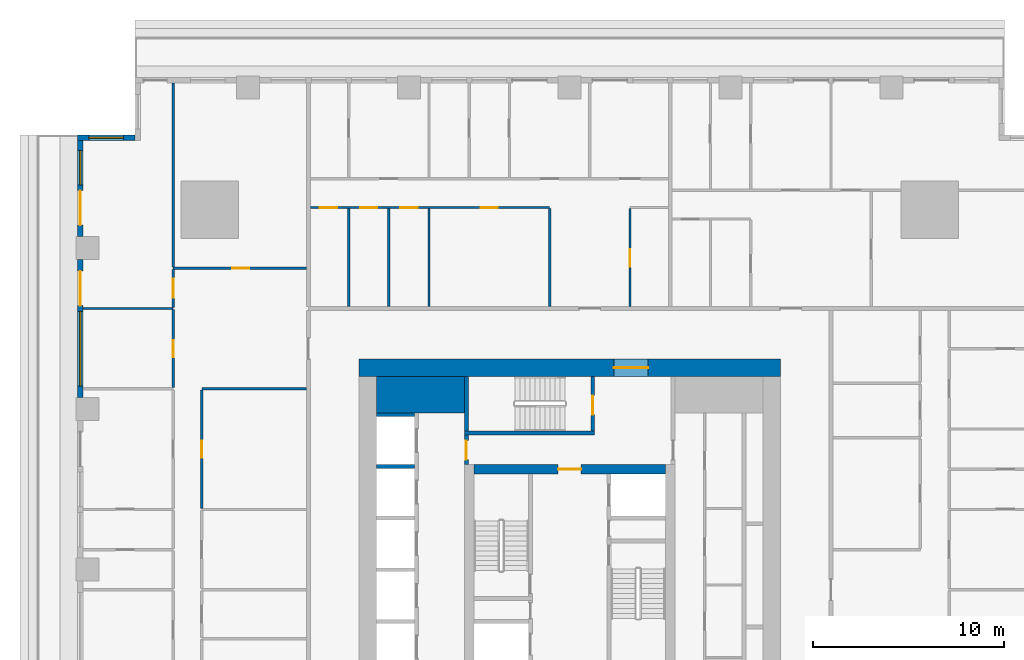
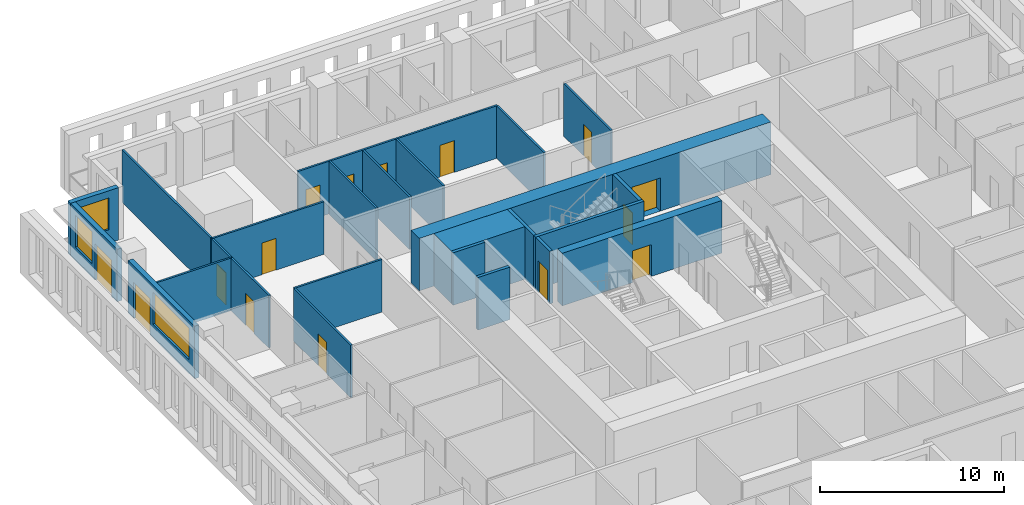
# One storey, part 7 of 15: 25 walls, 15 doors, 3 windows, 18 openings.
"""IFC4 building model written with IfcOpenShell, lengths in metres."""

from ifc_helpers import new_model, si_unit, direction, frame, frame_2d, origin, place, context, subcontext, project, spatial, rectangle, extrude, material, layer, layer_set, type_object, element, fill, save


model = new_model("IFC4")

# Units and contexts
model_context = context("Model", 3, precision=1e-05, world=origin(), true_north=direction((0.0, 1.0)))
body_context = subcontext(model_context, "Body", "Model", "MODEL_VIEW")
ifc_project = project(units=[si_unit("LENGTHUNIT", "METRE"), si_unit("AREAUNIT", "SQUARE_METRE"), si_unit("VOLUMEUNIT", "CUBIC_METRE"), si_unit("PLANEANGLEUNIT", "RADIAN"), si_unit("MASSUNIT", "GRAM", prefix="KILO")], contexts=[model_context])

# Site, building, storey
site_placement = place(None, origin())
site = spatial("IfcSite", under=ifc_project, at=site_placement, CompositionType="ELEMENT")
building_placement = place(site_placement, origin())
building = spatial("IfcBuilding", under=site, at=building_placement, Name="Khepri Terraces", CompositionType="ELEMENT")
storey_placement = place(building_placement, frame((0.0, 0.0, 30.89990234375)))
storey = spatial("IfcBuildingStorey", under=building, at=storey_placement, Name="L06", CompositionType="ELEMENT", Elevation=30.89990234375)

# Walls
ifc_material_1 = material(Name="Concrete C80/95", Category="concrete")
ifc_layer_1 = layer(ifc_material_1, 1.89990234375, Name="Concrete C80/95", Category="concrete")
ifc_layer_set_1 = layer_set([ifc_layer_1], Name="Concrete C80/95")
wall_type_1 = type_object("IfcWallType", Name="Core wall 1900 C80/95", PredefinedType="SHEAR", material=ifc_layer_set_1)
wall_1_placement = place(storey_placement, frame((-10.10009765625, 9.14990234375, 0.0), z_axis=(0.0, 0.0, 1.0), x_axis=(1.0, 0.0, 0.0)))
element("IfcWall", 1, at=wall_1_placement, inside=storey, type_object=wall_type_1, Name="Core wall PR03 L06", PredefinedType="SHEAR", context=body_context, shape_type="SweptSolid", body=[
    extrude(rectangle(XDim=4.60009765625, YDim=1.89990234375, at=frame_2d((2.300048828125, 0.0))), origin(), (0.0, 0.0, 1.0), 3.47998046875),
])
ifc_layer_2 = layer(ifc_material_1, 0.199951171875, Name="Concrete C80/95", Category="concrete")
ifc_layer_set_2 = layer_set([ifc_layer_2], Name="Concrete C80/95")
wall_type_2 = type_object("IfcWallType", Name="Core wall 200 C80/95", PredefinedType="SHEAR", material=ifc_layer_set_2)
wall_2_placement = place(storey_placement, frame((-5.5, 7.14990234375, 0.0), z_axis=(0.0, 0.0, 1.0), x_axis=(1.0, 0.0, 0.0)))
element("IfcWall", 2, at=wall_2_placement, inside=storey, type_object=wall_type_2, Name="Core wall ST05 L06", PredefinedType="SHEAR", context=body_context, shape_type="SweptSolid", body=[
    extrude(rectangle(XDim=6.800048828125, YDim=0.199951171875, at=frame_2d((3.39990234375, 0.0))), origin(), (0.0, 0.0, 1.0), 3.47998046875),
])
wall_3_placement = place(storey_placement, frame((-5.39990234375, 7.25, 0.0), z_axis=(0.0, 0.0, 1.0), x_axis=(0.0, 1.0, 0.0)))
element("IfcWall", 3, at=wall_3_placement, inside=storey, type_object=wall_type_2, Name="Core wall ST06 L06", PredefinedType="SHEAR", context=body_context, shape_type="SweptSolid", body=[
    extrude(rectangle(XDim=2.85009765625, YDim=0.199951171875, at=frame_2d((1.425048828125, 0.0))), origin(), (0.0, 0.0, 1.0), 3.47998046875),
])

# Wall, opening, door
wall_4_placement = place(storey_placement, frame((1.199951171875, 7.25, 0.0), z_axis=(0.0, 0.0, 1.0), x_axis=(0.0, 1.0, 0.0)))
wall_4 = element("IfcWall", 4, at=wall_4_placement, inside=storey, type_object=wall_type_2, Name="Core wall ST07 L06", PredefinedType="SHEAR", context=body_context, shape_type="SweptSolid", body=[
    extrude(rectangle(XDim=2.85009765625, YDim=0.199951171875, at=frame_2d((1.425048828125, 0.0))), origin(), (0.0, 0.0, 1.0), 3.47998046875),
])
opening_1_placement = place(wall_4_placement, frame((0.85009765625, 0.0, 0.0)))
opening_1 = element("IfcOpeningElement", 5, at=opening_1_placement, cuts=wall_4, Name="Opening L06-C15", PredefinedType="OPENING", context=body_context, shape_type="SweptSolid", body=[
    extrude(rectangle(XDim=1.0, YDim=2.10009765625, at=frame_2d((0.5, 1.050048828125))), frame((0.0, 0.10986328125, 0.0), z_axis=(0.0, -1.0, 0.0), x_axis=(1.0, 0.0, 0.0)), (0.0, 0.0, 1.0), 0.219970703125),
])
ifc_material_2 = material(Name="Painted steel", Category="steel")
door_type_1 = type_object("IfcDoorType", Name="DR-CORE-STAIR-1000", OperationType="NOTDEFINED", PredefinedType="DOOR", material=ifc_material_2)
door_1_placement = place(opening_1_placement, origin())
door_1 = element("IfcDoor", 6, at=door_1_placement, inside=storey, type_object=door_type_1, Name="Stair door L06-C15", OperationType="SINGLE_SWING_LEFT", OverallHeight=2.10009765625, OverallWidth=1.0, PredefinedType="DOOR", context=body_context, shape_type="SweptSolid", body=[
    extrude(rectangle(XDim=1.0, YDim=2.10009765625, at=frame_2d((0.5, 1.050048828125))), frame((0.0, 0.02490234375, 0.0), z_axis=(0.0, -1.0, 0.0), x_axis=(1.0, 0.0, 0.0)), (0.0, 0.0, 1.0), 0.050048828125),
])
fill(opening_1, door_1)

# Walls
for number, where, z_axis, x_axis, name in (
    (7, (-10.10009765625, 5.39990234375, 0.0), (0.0, 0.0, 1.0), (1.0, 0.0, 0.0), "Core wall SH19 L06"),
    (8, (-10.10009765625, 8.10009765625, 0.0), (0.0, 0.0, 1.0), (1.0, 0.0, 0.0), "Core wall SH20 L06"),
):
    element("IfcWall", number, at=place(storey_placement, frame(where, z_axis=z_axis, x_axis=x_axis)), inside=storey, type_object=wall_type_2, Name=name, PredefinedType="SHEAR", context=body_context, shape_type="SweptSolid", body=[
        extrude(rectangle(XDim=2.0, YDim=0.199951171875, at=frame_2d((1.0, 0.0))), origin(), (0.0, 0.0, 1.0), 3.47998046875),
    ])

# Wall, opening, door
ifc_layer_3 = layer(ifc_material_1, 0.5, Name="Concrete C80/95", Category="concrete")
ifc_layer_set_3 = layer_set([ifc_layer_3], Name="Concrete C80/95")
wall_type_3 = type_object("IfcWallType", Name="Core wall 500 C80/95", PredefinedType="SHEAR", material=ifc_layer_set_3)
wall_5_placement = place(storey_placement, frame((-5.0, 5.25, 0.0), z_axis=(0.0, 0.0, 1.0), x_axis=(1.0, 0.0, 0.0)))
wall_5 = element("IfcWall", 9, at=wall_5_placement, inside=storey, type_object=wall_type_3, Name="Core wall BX04 L06", PredefinedType="SHEAR", context=body_context, shape_type="SweptSolid", body=[
    extrude(rectangle(XDim=10.0, YDim=0.5, at=frame_2d((5.0, 0.0))), origin(), (0.0, 0.0, 1.0), 3.47998046875),
])
opening_2_placement = place(wall_5_placement, frame((4.39990234375, 0.0, 0.0)))
opening_2 = element("IfcOpeningElement", 10, at=opening_2_placement, cuts=wall_5, Name="Opening L06-C13", PredefinedType="OPENING", context=body_context, shape_type="SweptSolid", body=[
    extrude(rectangle(XDim=1.199951171875, YDim=2.10009765625, at=frame_2d((0.60009765625, 1.050048828125))), frame((0.0, 0.260009765625, 0.0), z_axis=(0.0, -1.0, 0.0), x_axis=(1.0, 0.0, 0.0)), (0.0, 0.0, 1.0), 0.52001953125),
])
door_type_2 = type_object("IfcDoorType", Name="DR-CORE-FF-LOBBY-1200", OperationType="NOTDEFINED", PredefinedType="DOOR", material=ifc_material_2)
door_2_placement = place(opening_2_placement, frame((1.199951171875, 0.0, 0.0), z_axis=(0.0, 0.0, 1.0), x_axis=(-1.0, 0.0, 0.0)))
door_2 = element("IfcDoor", 11, at=door_2_placement, inside=storey, type_object=door_type_2, Name="Firefighting lobby door L06-C13", OperationType="SINGLE_SWING_LEFT", OverallHeight=2.10009765625, OverallWidth=1.199951171875, PredefinedType="DOOR", context=body_context, shape_type="SweptSolid", body=[
    extrude(rectangle(XDim=1.199951171875, YDim=2.10009765625, at=frame_2d((0.60009765625, 1.050048828125))), frame((0.0, 0.02490234375, 0.0), z_axis=(0.0, -1.0, 0.0), x_axis=(1.0, 0.0, 0.0)), (0.0, 0.0, 1.0), 0.050048828125),
])
fill(opening_2, door_2)

ifc_layer_4 = layer(ifc_material_1, 0.89990234375, Name="Concrete C80/95", Category="concrete")
ifc_layer_set_4 = layer_set([ifc_layer_4], Name="Concrete C80/95")
wall_type_4 = type_object("IfcWallType", Name="Core wall 900 C80/95", PredefinedType="SHEAR", material=ifc_layer_set_4)
wall_6_placement = place(storey_placement, frame((-11.0, 10.550048828125, 0.0), z_axis=(0.0, 0.0, 1.0), x_axis=(1.0, 0.0, 0.0)))
wall_6 = element("IfcWall", 12, at=wall_6_placement, inside=storey, type_object=wall_type_4, Name="Core wall OW-N L06", PredefinedType="SHEAR", context=body_context, shape_type="SweptSolid", body=[
    extrude(rectangle(XDim=22.0, YDim=0.89990234375, at=frame_2d((11.0, 0.0))), origin(), (0.0, 0.0, 1.0), 3.47998046875),
])
opening_3_placement = place(wall_6_placement, frame((13.300048828125, 0.0, 0.0)))
opening_3 = element("IfcOpeningElement", 13, at=opening_3_placement, cuts=wall_6, Name="Opening L06-C20", PredefinedType="OPENING", context=body_context, shape_type="SweptSolid", body=[
    extrude(rectangle(XDim=1.800048828125, YDim=2.199951171875, at=frame_2d((0.89990234375, 1.10009765625))), frame((0.0, 0.4599609375, 0.0), z_axis=(0.0, -1.0, 0.0), x_axis=(1.0, 0.0, 0.0)), (0.0, 0.0, 1.0), 0.919921875),
])
door_type_3 = type_object("IfcDoorType", Name="DR-CORE-ENTRANCE-1800", OperationType="NOTDEFINED", PredefinedType="DOOR", material=ifc_material_2)
door_3_placement = place(opening_3_placement, origin())
door_3 = element("IfcDoor", 14, at=door_3_placement, inside=storey, type_object=door_type_3, Name="Core entrance door pair L06-C20", OperationType="DOUBLE_DOOR_SINGLE_SWING", OverallHeight=2.199951171875, OverallWidth=1.800048828125, PredefinedType="DOOR", context=body_context, shape_type="SweptSolid", body=[
    extrude(rectangle(XDim=1.800048828125, YDim=2.199951171875, at=frame_2d((0.89990234375, 1.10009765625))), frame((0.0, 0.02490234375, 0.0), z_axis=(0.0, -1.0, 0.0), x_axis=(1.0, 0.0, 0.0)), (0.0, 0.0, 1.0), 0.050048828125),
])
fill(opening_3, door_3)

ifc_material_3 = material(Name="Fire-rated gypsum board partition")
ifc_layer_5 = layer(ifc_material_3, 0.199951171875, Name="Fire-rated gypsum board partition")
ifc_layer_set_5 = layer_set([ifc_layer_5], Name="Fire-rated gypsum board partition")
wall_type_5 = type_object("IfcWallType", Name="WL-CORE-PART-200", PredefinedType="PARTITIONING", material=ifc_layer_set_5)
wall_7_placement = place(storey_placement, frame((-5.39990234375, 5.5, 0.0), z_axis=(0.0, 0.0, 1.0), x_axis=(0.0, 1.0, 0.0)))
wall_7 = element("IfcWall", 15, at=wall_7_placement, inside=storey, type_object=wall_type_5, Name="Core partition PT07 L06", PredefinedType="PARTITIONING", context=body_context, shape_type="SweptSolid", body=[
    extrude(rectangle(XDim=1.550048828125, YDim=0.199951171875, at=frame_2d((0.77490234375, 0.0))), origin(), (0.0, 0.0, 1.0), 3.47998046875),
])
opening_4_placement = place(wall_7_placement, frame((0.25, 0.0, 0.0)))
opening_4 = element("IfcOpeningElement", 16, at=opening_4_placement, cuts=wall_7, Name="Opening L06-C16", PredefinedType="OPENING", context=body_context, shape_type="SweptSolid", body=[
    extrude(rectangle(XDim=1.0, YDim=2.10009765625, at=frame_2d((0.5, 1.050048828125))), frame((0.0, 0.10986328125, 0.0), z_axis=(0.0, -1.0, 0.0), x_axis=(1.0, 0.0, 0.0)), (0.0, 0.0, 1.0), 0.219970703125),
])
door_type_4 = type_object("IfcDoorType", Name="DR-CORE-LOBBY-1000", OperationType="NOTDEFINED", PredefinedType="DOOR", material=ifc_material_2)
door_4_placement = place(opening_4_placement, frame((1.0, 0.0, 0.0), z_axis=(0.0, 0.0, 1.0), x_axis=(-1.0, 0.0, 0.0)))
door_4 = element("IfcDoor", 17, at=door_4_placement, inside=storey, type_object=door_type_4, Name="Lobby door L06-C16", OperationType="SINGLE_SWING_RIGHT", OverallHeight=2.10009765625, OverallWidth=1.0, PredefinedType="DOOR", context=body_context, shape_type="SweptSolid", body=[
    extrude(rectangle(XDim=1.0, YDim=2.10009765625, at=frame_2d((0.5, 1.050048828125))), frame((0.0, 0.02490234375, 0.0), z_axis=(0.0, -1.0, 0.0), x_axis=(1.0, 0.0, 0.0)), (0.0, 0.0, 1.0), 0.050048828125),
])
fill(opening_4, door_4)

# Wall, opening, window
ifc_material_4 = material(Name="Precast concrete C50/60 warm stone", Category="masonry")
ifc_layer_6 = layer(ifc_material_4, 0.300048828125, Name="Precast concrete C50/60 warm stone", Category="masonry")
ifc_layer_set_6 = layer_set([ifc_layer_6], Name="Precast concrete C50/60 warm stone")
wall_type_6 = type_object("IfcWallType", Name="WL-EXT-PRECAST-300", PredefinedType="STANDARD", material=ifc_layer_set_6)
wall_8_placement = place(storey_placement, frame((-22.719970703125, 22.570068359375, 0.0), z_axis=(0.0, 0.0, 1.0), x_axis=(-1.0, 0.0, 0.0)))
wall_8 = element("IfcWall", 18, at=wall_8_placement, inside=storey, type_object=wall_type_6, Name="External wall L06 N", PredefinedType="STANDARD", context=body_context, shape_type="SweptSolid", body=[
    extrude(rectangle(XDim=3.0, YDim=0.300048828125, at=frame_2d((1.5, 0.0))), origin(), (0.0, 0.0, 1.0), 3.47998046875),
])
opening_5_placement = place(wall_8_placement, frame((0.60009765625, 0.0, 0.89990234375)))
opening_5 = element("IfcOpeningElement", 19, at=opening_5_placement, cuts=wall_8, Name="Opening W1", PredefinedType="OPENING", context=body_context, shape_type="SweptSolid", body=[
    extrude(rectangle(XDim=1.800048828125, YDim=2.10009765625, at=frame_2d((0.89990234375, 1.050048828125))), frame((0.0, 0.16015625, 0.0), z_axis=(0.0, -1.0, 0.0), x_axis=(1.0, 0.0, 0.0)), (0.0, 0.0, 1.0), 0.320068359375),
])
ifc_material_5 = material(Name="Clear glass", Category="glass")
window_type_1 = type_object("IfcWindowType", Name="WIN-RES-1800x2100", PartitioningType="SINGLE_PANEL", PredefinedType="WINDOW", material=ifc_material_5)
window_1_placement = place(opening_5_placement, origin())
window_1 = element("IfcWindow", 20, at=window_1_placement, inside=storey, type_object=window_type_1, Name="Window L06 N", OverallHeight=2.10009765625, OverallWidth=1.800048828125, PartitioningType="SINGLE_PANEL", PredefinedType="WINDOW", context=body_context, shape_type="SweptSolid", body=[
    extrude(rectangle(XDim=1.800048828125, YDim=2.10009765625, at=frame_2d((0.89990234375, 1.050048828125))), frame((0.0, 0.030029296875, 0.0), z_axis=(0.0, -1.0, 0.0), x_axis=(1.0, 0.0, 0.0)), (0.0, 0.0, 1.0), 0.06005859375),
])
fill(opening_5, window_1)

# Wall, openings, door, window
wall_9_placement = place(storey_placement, frame((-25.570068359375, 22.419921875, 0.0), z_axis=(0.0, 0.0, 1.0), x_axis=(0.0, -1.0, 0.0)))
wall_9 = element("IfcWall", 21, at=wall_9_placement, inside=storey, type_object=wall_type_6, Name="External wall L06 W", PredefinedType="STANDARD", context=body_context, shape_type="SweptSolid", body=[
    extrude(rectangle(XDim=5.02001953125, YDim=0.300048828125, at=frame_2d((2.510009765625, 0.0))), origin(), (0.0, 0.0, 1.0), 3.47998046875),
])
opening_6_placement = place(wall_9_placement, frame((0.52001953125, 0.0, 0.89990234375)))
opening_6 = element("IfcOpeningElement", 22, at=opening_6_placement, cuts=wall_9, Name="Opening W1", PredefinedType="OPENING", context=body_context, shape_type="SweptSolid", body=[
    extrude(rectangle(XDim=1.800048828125, YDim=2.10009765625, at=frame_2d((0.89990234375, 1.050048828125))), frame((0.0, 0.16015625, 0.0), z_axis=(0.0, -1.0, 0.0), x_axis=(1.0, 0.0, 0.0)), (0.0, 0.0, 1.0), 0.320068359375),
])
opening_7_placement = place(wall_9_placement, frame((2.6201171875, 0.0, 0.0)))
opening_7 = element("IfcOpeningElement", 23, at=opening_7_placement, cuts=wall_9, Name="Opening ED-L06-13", PredefinedType="OPENING", context=body_context, shape_type="SweptSolid", body=[
    extrude(rectangle(XDim=1.800048828125, YDim=2.39990234375, at=frame_2d((0.89990234375, 1.199951171875))), frame((0.0, 0.16015625, 0.0), z_axis=(0.0, -1.0, 0.0), x_axis=(1.0, 0.0, 0.0)), (0.0, 0.0, 1.0), 0.320068359375),
])
ifc_material_6 = material(Name="Anodised aluminium bronze glazed door", Category="aluminium")
door_type_5 = type_object("IfcDoorType", Name="DR-BAL-SLIDE-1800x2400", OperationType="NOTDEFINED", PredefinedType="DOOR", material=ifc_material_6)
door_5_placement = place(opening_7_placement, origin())
door_5 = element("IfcDoor", 24, at=door_5_placement, inside=storey, type_object=door_type_5, Name="Balcony door L06 W", OperationType="SLIDING_TO_RIGHT", OverallHeight=2.39990234375, OverallWidth=1.800048828125, PredefinedType="DOOR", context=body_context, shape_type="SweptSolid", body=[
    extrude(rectangle(XDim=1.800048828125, YDim=2.39990234375, at=frame_2d((0.89990234375, 1.199951171875))), frame((0.0, 0.02490234375, 0.0), z_axis=(0.0, -1.0, 0.0), x_axis=(1.0, 0.0, 0.0)), (0.0, 0.0, 1.0), 0.050048828125),
])
fill(opening_7, door_5)
window_2_placement = place(opening_6_placement, origin())
window_2 = element("IfcWindow", 25, at=window_2_placement, inside=storey, type_object=window_type_1, Name="Window L06 W", OverallHeight=2.10009765625, OverallWidth=1.800048828125, PartitioningType="SINGLE_PANEL", PredefinedType="WINDOW", context=body_context, shape_type="SweptSolid", body=[
    extrude(rectangle(XDim=1.800048828125, YDim=2.10009765625, at=frame_2d((0.89990234375, 1.050048828125))), frame((0.0, 0.030029296875, 0.0), z_axis=(0.0, -1.0, 0.0), x_axis=(1.0, 0.0, 0.0)), (0.0, 0.0, 1.0), 0.06005859375),
])
fill(opening_6, window_2)

wall_10_placement = place(storey_placement, frame((-25.570068359375, 16.199951171875, 0.0), z_axis=(0.0, 0.0, 1.0), x_axis=(0.0, -1.0, 0.0)))
wall_10 = element("IfcWall", 26, at=wall_10_placement, inside=storey, type_object=wall_type_6, Name="External wall L06 W", PredefinedType="STANDARD", context=body_context, shape_type="SweptSolid", body=[
    extrude(rectangle(XDim=7.199951171875, YDim=0.300048828125, at=frame_2d((3.60009765625, 0.0))), origin(), (0.0, 0.0, 1.0), 3.47998046875),
])
opening_8_placement = place(wall_10_placement, frame((0.60009765625, 0.0, 0.0)))
opening_8 = element("IfcOpeningElement", 27, at=opening_8_placement, cuts=wall_10, Name="Opening ED-L06-14", PredefinedType="OPENING", context=body_context, shape_type="SweptSolid", body=[
    extrude(rectangle(XDim=1.800048828125, YDim=2.39990234375, at=frame_2d((0.89990234375, 1.199951171875))), frame((0.0, 0.16015625, 0.0), z_axis=(0.0, -1.0, 0.0), x_axis=(1.0, 0.0, 0.0)), (0.0, 0.0, 1.0), 0.320068359375),
])
opening_9_placement = place(wall_10_placement, frame((2.699951171875, 0.0, 0.89990234375)))
opening_9 = element("IfcOpeningElement", 28, at=opening_9_placement, cuts=wall_10, Name="Opening W2", PredefinedType="OPENING", context=body_context, shape_type="SweptSolid", body=[
    extrude(rectangle(XDim=3.89990234375, YDim=2.10009765625, at=frame_2d((1.949951171875, 1.050048828125))), frame((0.0, 0.16015625, 0.0), z_axis=(0.0, -1.0, 0.0), x_axis=(1.0, 0.0, 0.0)), (0.0, 0.0, 1.0), 0.320068359375),
])
door_6_placement = place(opening_8_placement, origin())
door_6 = element("IfcDoor", 29, at=door_6_placement, inside=storey, type_object=door_type_5, Name="Balcony door L06 W", OperationType="SLIDING_TO_LEFT", OverallHeight=2.39990234375, OverallWidth=1.800048828125, PredefinedType="DOOR", context=body_context, shape_type="SweptSolid", body=[
    extrude(rectangle(XDim=1.800048828125, YDim=2.39990234375, at=frame_2d((0.89990234375, 1.199951171875))), frame((0.0, 0.02490234375, 0.0), z_axis=(0.0, -1.0, 0.0), x_axis=(1.0, 0.0, 0.0)), (0.0, 0.0, 1.0), 0.050048828125),
])
fill(opening_8, door_6)
window_type_2 = type_object("IfcWindowType", Name="WIN-RES-3900x2100", PartitioningType="SINGLE_PANEL", PredefinedType="WINDOW", material=ifc_material_5)
window_3_placement = place(opening_9_placement, origin())
window_3 = element("IfcWindow", 30, at=window_3_placement, inside=storey, type_object=window_type_2, Name="Window L06 W", OverallHeight=2.10009765625, OverallWidth=3.89990234375, PartitioningType="SINGLE_PANEL", PredefinedType="WINDOW", context=body_context, shape_type="SweptSolid", body=[
    extrude(rectangle(XDim=3.89990234375, YDim=2.10009765625, at=frame_2d((1.949951171875, 1.050048828125))), frame((0.0, 0.030029296875, 0.0), z_axis=(0.0, -1.0, 0.0), x_axis=(1.0, 0.0, 0.0)), (0.0, 0.0, 1.0), 0.06005859375),
])
fill(opening_9, window_3)

# Wall, opening, door
ifc_material_7 = material(Name="Gypsum plasterboard partition")
ifc_layer_7 = layer(ifc_material_7, 0.1201171875, Name="Gypsum plasterboard partition")
ifc_layer_set_7 = layer_set([ifc_layer_7], Name="Gypsum plasterboard partition")
wall_type_7 = type_object("IfcWallType", Name="WL-PART-120", PredefinedType="PARTITIONING", material=ifc_layer_set_7)
wall_11_placement = place(storey_placement, frame((-19.219970703125, 3.2099609375, 0.0), z_axis=(0.0, 0.0, 1.0), x_axis=(0.0, 1.0, 0.0)))
wall_11 = element("IfcWall", 31, at=wall_11_placement, inside=storey, type_object=wall_type_7, Name="Partition P-068 L06", PredefinedType="PARTITIONING", context=body_context, shape_type="SweptSolid", body=[
    extrude(rectangle(XDim=6.179931640625, YDim=0.1201171875, at=frame_2d((3.08984375, 0.0))), origin(), (0.0, 0.0, 1.0), 3.47998046875),
])
opening_10_placement = place(wall_11_placement, frame((2.639892578125, 0.0, 0.0)))
opening_10 = element("IfcOpeningElement", 32, at=opening_10_placement, cuts=wall_11, Name="Opening D3", PredefinedType="OPENING", context=body_context, shape_type="SweptSolid", body=[
    extrude(rectangle(XDim=0.89990234375, YDim=2.10009765625, at=frame_2d((0.449951171875, 1.050048828125))), frame((0.0, 0.070068359375, 0.0), z_axis=(0.0, -1.0, 0.0), x_axis=(1.0, 0.0, 0.0)), (0.0, 0.0, 1.0), 0.14013671875),
])
ifc_material_8 = material(Name="Timber door leaf", Category="wood")
door_type_6 = type_object("IfcDoorType", Name="DR-INT-900", OperationType="NOTDEFINED", PredefinedType="DOOR", material=ifc_material_8)
door_7_placement = place(opening_10_placement, frame((0.89990234375, 0.0, 0.0), z_axis=(0.0, 0.0, 1.0), x_axis=(-1.0, 0.0, 0.0)))
door_7 = element("IfcDoor", 33, at=door_7_placement, inside=storey, type_object=door_type_6, Name="Door Kitchen", OperationType="SINGLE_SWING_RIGHT", OverallHeight=2.10009765625, OverallWidth=0.89990234375, PredefinedType="DOOR", context=body_context, shape_type="SweptSolid", body=[
    extrude(rectangle(XDim=0.89990234375, YDim=2.10009765625, at=frame_2d((0.449951171875, 1.050048828125))), frame((0.0, 0.02490234375, 0.0), z_axis=(0.0, -1.0, 0.0), x_axis=(1.0, 0.0, 0.0)), (0.0, 0.0, 1.0), 0.050048828125),
])
fill(opening_10, door_7)

# Wall
wall_12_placement = place(storey_placement, frame((-19.219970703125, 9.449951171875, 0.0), z_axis=(0.0, 0.0, 1.0), x_axis=(1.0, 0.0, 0.0)))
element("IfcWall", 34, at=wall_12_placement, inside=storey, type_object=wall_type_7, Name="Partition P-077 L06", PredefinedType="PARTITIONING", context=body_context, shape_type="SweptSolid", body=[
    extrude(rectangle(XDim=5.469970703125, YDim=0.1201171875, at=frame_2d((2.73486328125, 0.0))), origin(), (0.0, 0.0, 1.0), 3.47998046875),
])

# Wall, opening, door
wall_13_placement = place(storey_placement, frame((-20.719970703125, 9.510009765625, 0.0), z_axis=(0.0, 0.0, 1.0), x_axis=(0.0, 1.0, 0.0)))
wall_13 = element("IfcWall", 35, at=wall_13_placement, inside=storey, type_object=wall_type_7, Name="Partition P-078 L06", PredefinedType="PARTITIONING", context=body_context, shape_type="SweptSolid", body=[
    extrude(rectangle(XDim=4.080078125, YDim=0.1201171875, at=frame_2d((2.0400390625, 0.0))), origin(), (0.0, 0.0, 1.0), 3.47998046875),
])
opening_11_placement = place(wall_13_placement, frame((1.590087890625, 0.0, 0.0)))
opening_11 = element("IfcOpeningElement", 36, at=opening_11_placement, cuts=wall_13, Name="Opening D3", PredefinedType="OPENING", context=body_context, shape_type="SweptSolid", body=[
    extrude(rectangle(XDim=0.89990234375, YDim=2.10009765625, at=frame_2d((0.449951171875, 1.050048828125))), frame((0.0, 0.070068359375, 0.0), z_axis=(0.0, -1.0, 0.0), x_axis=(1.0, 0.0, 0.0)), (0.0, 0.0, 1.0), 0.14013671875),
])
door_8_placement = place(opening_11_placement, origin())
door_8 = element("IfcDoor", 37, at=door_8_placement, inside=storey, type_object=door_type_6, Name="Door Study", OperationType="SINGLE_SWING_RIGHT", OverallHeight=2.10009765625, OverallWidth=0.89990234375, PredefinedType="DOOR", context=body_context, shape_type="SweptSolid", body=[
    extrude(rectangle(XDim=0.89990234375, YDim=2.10009765625, at=frame_2d((0.449951171875, 1.050048828125))), frame((0.0, 0.02490234375, 0.0), z_axis=(0.0, -1.0, 0.0), x_axis=(1.0, 0.0, 0.0)), (0.0, 0.0, 1.0), 0.050048828125),
])
fill(opening_11, door_8)

# Wall
wall_14_placement = place(storey_placement, frame((-25.419921875, 13.64990234375, 0.0), z_axis=(0.0, 0.0, 1.0), x_axis=(1.0, 0.0, 0.0)))
element("IfcWall", 38, at=wall_14_placement, inside=storey, type_object=wall_type_7, Name="Partition P-083 L06", PredefinedType="PARTITIONING", context=body_context, shape_type="SweptSolid", body=[
    extrude(rectangle(XDim=4.699951171875, YDim=0.1201171875, at=frame_2d((2.35009765625, 0.0))), origin(), (0.0, 0.0, 1.0), 3.47998046875),
])

# Wall, opening, door
wall_15_placement = place(storey_placement, frame((-20.719970703125, 13.7099609375, 0.0), z_axis=(0.0, 0.0, 1.0), x_axis=(0.0, 1.0, 0.0)))
wall_15 = element("IfcWall", 39, at=wall_15_placement, inside=storey, type_object=wall_type_7, Name="Partition P-085 L06", PredefinedType="PARTITIONING", context=body_context, shape_type="SweptSolid", body=[
    extrude(rectangle(XDim=1.97998046875, YDim=0.1201171875, at=frame_2d((0.989990234375, 0.0))), origin(), (0.0, 0.0, 1.0), 3.47998046875),
])
opening_12_placement = place(wall_15_placement, frame((0.489990234375, 0.0, 0.0)))
opening_12 = element("IfcOpeningElement", 40, at=opening_12_placement, cuts=wall_15, Name="Opening D2", PredefinedType="OPENING", context=body_context, shape_type="SweptSolid", body=[
    extrude(rectangle(XDim=1.0, YDim=2.10009765625, at=frame_2d((0.5, 1.050048828125))), frame((0.0, 0.070068359375, 0.0), z_axis=(0.0, -1.0, 0.0), x_axis=(1.0, 0.0, 0.0)), (0.0, 0.0, 1.0), 0.14013671875),
])
ifc_material_9 = material(Name="Timber door leaf, living room door", Category="wood")
door_type_7 = type_object("IfcDoorType", Name="DR-INT-1000", OperationType="NOTDEFINED", PredefinedType="DOOR", material=ifc_material_9)
door_9_placement = place(opening_12_placement, origin())
door_9 = element("IfcDoor", 41, at=door_9_placement, inside=storey, type_object=door_type_7, Name="Door Living Room", OperationType="SINGLE_SWING_LEFT", OverallHeight=2.10009765625, OverallWidth=1.0, PredefinedType="DOOR", context=body_context, shape_type="SweptSolid", body=[
    extrude(rectangle(XDim=1.0, YDim=2.10009765625, at=frame_2d((0.5, 1.050048828125))), frame((0.0, 0.02490234375, 0.0), z_axis=(0.0, -1.0, 0.0), x_axis=(1.0, 0.0, 0.0)), (0.0, 0.0, 1.0), 0.050048828125),
])
fill(opening_12, door_9)

# Walls
for number, where, z_axis, x_axis, name in (
    (42, (-11.550048828125, 13.75, 0.0), (0.0, 0.0, 1.0), (0.0, 1.0, 0.0), "Partition P-087 L06"),
    (43, (-9.449951171875, 13.75, 0.0), (0.0, 0.0, 1.0), (0.0, 1.0, 0.0), "Partition P-088 L06"),
    (44, (-7.35009765625, 13.75, 0.0), (0.0, 0.0, 1.0), (0.0, 1.0, 0.0), "Partition P-089 L06"),
    (45, (-1.050048828125, 13.75, 0.0), (0.0, 0.0, 1.0), (0.0, 1.0, 0.0), "Partition P-090 L06"),
):
    element("IfcWall", number, at=place(storey_placement, frame(where, z_axis=z_axis, x_axis=x_axis)), inside=storey, type_object=wall_type_7, Name=name, PredefinedType="PARTITIONING", context=body_context, shape_type="SweptSolid", body=[
        extrude(rectangle(XDim=5.110107421875, YDim=0.1201171875, at=frame_2d((2.55517578125, 0.0))), origin(), (0.0, 0.0, 1.0), 3.47998046875),
    ])

# Wall, opening, door
wall_16_placement = place(storey_placement, frame((3.14990234375, 13.75, 0.0), z_axis=(0.0, 0.0, 1.0), x_axis=(0.0, 1.0, 0.0)))
wall_16 = element("IfcWall", 46, at=wall_16_placement, inside=storey, type_object=wall_type_7, Name="Partition P-091 L06", PredefinedType="PARTITIONING", context=body_context, shape_type="SweptSolid", body=[
    extrude(rectangle(XDim=5.110107421875, YDim=0.1201171875, at=frame_2d((2.55517578125, 0.0))), origin(), (0.0, 0.0, 1.0), 3.47998046875),
])
opening_13_placement = place(wall_16_placement, frame((2.0849609375, 0.0, 0.0)))
opening_13 = element("IfcOpeningElement", 47, at=opening_13_placement, cuts=wall_16, Name="Opening D3", PredefinedType="OPENING", context=body_context, shape_type="SweptSolid", body=[
    extrude(rectangle(XDim=0.89990234375, YDim=2.10009765625, at=frame_2d((0.449951171875, 1.050048828125))), frame((0.0, 0.070068359375, 0.0), z_axis=(0.0, -1.0, 0.0), x_axis=(1.0, 0.0, 0.0)), (0.0, 0.0, 1.0), 0.14013671875),
])
door_10_placement = place(opening_13_placement, frame((0.89990234375, 0.0, 0.0), z_axis=(0.0, 0.0, 1.0), x_axis=(-1.0, 0.0, 0.0)))
door_10 = element("IfcDoor", 48, at=door_10_placement, inside=storey, type_object=door_type_6, Name="Door Utility Room", OperationType="SINGLE_SWING_RIGHT", OverallHeight=2.10009765625, OverallWidth=0.89990234375, PredefinedType="DOOR", context=body_context, shape_type="SweptSolid", body=[
    extrude(rectangle(XDim=0.89990234375, YDim=2.10009765625, at=frame_2d((0.449951171875, 1.050048828125))), frame((0.0, 0.02490234375, 0.0), z_axis=(0.0, -1.0, 0.0), x_axis=(1.0, 0.0, 0.0)), (0.0, 0.0, 1.0), 0.050048828125),
])
fill(opening_13, door_10)

wall_17_placement = place(storey_placement, frame((-20.719970703125, 15.75, 0.0), z_axis=(0.0, 0.0, 1.0), x_axis=(1.0, 0.0, 0.0)))
wall_17 = element("IfcWall", 49, at=wall_17_placement, inside=storey, type_object=wall_type_7, Name="Partition P-096 L06", PredefinedType="PARTITIONING", context=body_context, shape_type="SweptSolid", body=[
    extrude(rectangle(XDim=6.969970703125, YDim=0.1201171875, at=frame_2d((3.48486328125, 0.0))), origin(), (0.0, 0.0, 1.0), 3.47998046875),
])
opening_14_placement = place(wall_17_placement, frame((3.0849609375, 0.0, 0.0)))
opening_14 = element("IfcOpeningElement", 50, at=opening_14_placement, cuts=wall_17, Name="Opening D3", PredefinedType="OPENING", context=body_context, shape_type="SweptSolid", body=[
    extrude(rectangle(XDim=0.89990234375, YDim=2.10009765625, at=frame_2d((0.449951171875, 1.050048828125))), frame((0.0, 0.070068359375, 0.0), z_axis=(0.0, -1.0, 0.0), x_axis=(1.0, 0.0, 0.0)), (0.0, 0.0, 1.0), 0.14013671875),
])
door_11_placement = place(opening_14_placement, origin())
door_11 = element("IfcDoor", 51, at=door_11_placement, inside=storey, type_object=door_type_6, Name="Door Library", OperationType="SINGLE_SWING_RIGHT", OverallHeight=2.10009765625, OverallWidth=0.89990234375, PredefinedType="DOOR", context=body_context, shape_type="SweptSolid", body=[
    extrude(rectangle(XDim=0.89990234375, YDim=2.10009765625, at=frame_2d((0.449951171875, 1.050048828125))), frame((0.0, 0.02490234375, 0.0), z_axis=(0.0, -1.0, 0.0), x_axis=(1.0, 0.0, 0.0)), (0.0, 0.0, 1.0), 0.050048828125),
])
fill(opening_14, door_11)

# Wall
wall_18_placement = place(storey_placement, frame((-20.719970703125, 15.81005859375, 0.0), z_axis=(0.0, 0.0, 1.0), x_axis=(0.0, 1.0, 0.0)))
element("IfcWall", 52, at=wall_18_placement, inside=storey, type_object=wall_type_7, Name="Partition P-097 L06", PredefinedType="PARTITIONING", context=body_context, shape_type="SweptSolid", body=[
    extrude(rectangle(XDim=9.60986328125, YDim=0.1201171875, at=frame_2d((4.804931640625, 0.0))), origin(), (0.0, 0.0, 1.0), 3.47998046875),
])

# Wall, openings, doors
wall_19_placement = place(storey_placement, frame((-13.550048828125, 18.919921875, 0.0), z_axis=(0.0, 0.0, 1.0), x_axis=(1.0, 0.0, 0.0)))
wall_19 = element("IfcWall", 53, at=wall_19_placement, inside=storey, type_object=wall_type_7, Name="Partition P-099 L06", PredefinedType="PARTITIONING", context=body_context, shape_type="SweptSolid", body=[
    extrude(rectangle(XDim=12.5, YDim=0.1201171875, at=frame_2d((6.25, 0.0))), origin(), (0.0, 0.0, 1.0), 3.47998046875),
])
opening_15_placement = place(wall_19_placement, frame((8.89990234375, 0.0, 0.0)))
opening_15 = element("IfcOpeningElement", 54, at=opening_15_placement, cuts=wall_19, Name="Opening D3", PredefinedType="OPENING", context=body_context, shape_type="SweptSolid", body=[
    extrude(rectangle(XDim=0.89990234375, YDim=2.10009765625, at=frame_2d((0.449951171875, 1.050048828125))), frame((0.0, 0.070068359375, 0.0), z_axis=(0.0, -1.0, 0.0), x_axis=(1.0, 0.0, 0.0)), (0.0, 0.0, 1.0), 0.14013671875),
])
opening_16_placement = place(wall_19_placement, frame((4.699951171875, 0.0, 0.0)))
opening_16 = element("IfcOpeningElement", 55, at=opening_16_placement, cuts=wall_19, Name="Opening D3", PredefinedType="OPENING", context=body_context, shape_type="SweptSolid", body=[
    extrude(rectangle(XDim=0.89990234375, YDim=2.10009765625, at=frame_2d((0.449951171875, 1.050048828125))), frame((0.0, 0.070068359375, 0.0), z_axis=(0.0, -1.0, 0.0), x_axis=(1.0, 0.0, 0.0)), (0.0, 0.0, 1.0), 0.14013671875),
])
opening_17_placement = place(wall_19_placement, frame((2.60009765625, 0.0, 0.0)))
opening_17 = element("IfcOpeningElement", 56, at=opening_17_placement, cuts=wall_19, Name="Opening D4", PredefinedType="OPENING", context=body_context, shape_type="SweptSolid", body=[
    extrude(rectangle(XDim=0.89990234375, YDim=2.10009765625, at=frame_2d((0.449951171875, 1.050048828125))), frame((0.0, 0.070068359375, 0.0), z_axis=(0.0, -1.0, 0.0), x_axis=(1.0, 0.0, 0.0)), (0.0, 0.0, 1.0), 0.14013671875),
])
opening_18_placement = place(wall_19_placement, frame((0.5, 0.0, 0.0)))
opening_18 = element("IfcOpeningElement", 57, at=opening_18_placement, cuts=wall_19, Name="Opening D4", PredefinedType="OPENING", context=body_context, shape_type="SweptSolid", body=[
    extrude(rectangle(XDim=0.89990234375, YDim=2.10009765625, at=frame_2d((0.449951171875, 1.050048828125))), frame((0.0, 0.070068359375, 0.0), z_axis=(0.0, -1.0, 0.0), x_axis=(1.0, 0.0, 0.0)), (0.0, 0.0, 1.0), 0.14013671875),
])
door_12_placement = place(opening_15_placement, frame((0.89990234375, 0.0, 0.0), z_axis=(0.0, 0.0, 1.0), x_axis=(-1.0, 0.0, 0.0)))
door_12 = element("IfcDoor", 58, at=door_12_placement, inside=storey, type_object=door_type_6, Name="Door Kitchen", OperationType="SINGLE_SWING_LEFT", OverallHeight=2.10009765625, OverallWidth=0.89990234375, PredefinedType="DOOR", context=body_context, shape_type="SweptSolid", body=[
    extrude(rectangle(XDim=0.89990234375, YDim=2.10009765625, at=frame_2d((0.449951171875, 1.050048828125))), frame((0.0, 0.02490234375, 0.0), z_axis=(0.0, -1.0, 0.0), x_axis=(1.0, 0.0, 0.0)), (0.0, 0.0, 1.0), 0.050048828125),
])
fill(opening_15, door_12)
door_13_placement = place(opening_16_placement, frame((0.89990234375, 0.0, 0.0), z_axis=(0.0, 0.0, 1.0), x_axis=(-1.0, 0.0, 0.0)))
door_13 = element("IfcDoor", 59, at=door_13_placement, inside=storey, type_object=door_type_6, Name="Door Service Store", OperationType="SINGLE_SWING_RIGHT", OverallHeight=2.10009765625, OverallWidth=0.89990234375, PredefinedType="DOOR", context=body_context, shape_type="SweptSolid", body=[
    extrude(rectangle(XDim=0.89990234375, YDim=2.10009765625, at=frame_2d((0.449951171875, 1.050048828125))), frame((0.0, 0.02490234375, 0.0), z_axis=(0.0, -1.0, 0.0), x_axis=(1.0, 0.0, 0.0)), (0.0, 0.0, 1.0), 0.050048828125),
])
fill(opening_16, door_13)
ifc_material_10 = material(Name="Timber door leaf, moisture resistant", Category="wood")
door_type_8 = type_object("IfcDoorType", Name="DR-WET-900", OperationType="NOTDEFINED", PredefinedType="DOOR", material=ifc_material_10)
door_14_placement = place(opening_17_placement, frame((0.89990234375, 0.0, 0.0), z_axis=(0.0, 0.0, 1.0), x_axis=(-1.0, 0.0, 0.0)))
door_14 = element("IfcDoor", 60, at=door_14_placement, inside=storey, type_object=door_type_8, Name="Door Powder Room", OperationType="SINGLE_SWING_RIGHT", OverallHeight=2.10009765625, OverallWidth=0.89990234375, PredefinedType="DOOR", context=body_context, shape_type="SweptSolid", body=[
    extrude(rectangle(XDim=0.89990234375, YDim=2.10009765625, at=frame_2d((0.449951171875, 1.050048828125))), frame((0.0, 0.02490234375, 0.0), z_axis=(0.0, -1.0, 0.0), x_axis=(1.0, 0.0, 0.0)), (0.0, 0.0, 1.0), 0.050048828125),
])
fill(opening_17, door_14)
door_15_placement = place(opening_18_placement, frame((0.89990234375, 0.0, 0.0), z_axis=(0.0, 0.0, 1.0), x_axis=(-1.0, 0.0, 0.0)))
door_15 = element("IfcDoor", 61, at=door_15_placement, inside=storey, type_object=door_type_8, Name="Door Guest Bathroom", OperationType="SINGLE_SWING_RIGHT", OverallHeight=2.10009765625, OverallWidth=0.89990234375, PredefinedType="DOOR", context=body_context, shape_type="SweptSolid", body=[
    extrude(rectangle(XDim=0.89990234375, YDim=2.10009765625, at=frame_2d((0.449951171875, 1.050048828125))), frame((0.0, 0.02490234375, 0.0), z_axis=(0.0, -1.0, 0.0), x_axis=(1.0, 0.0, 0.0)), (0.0, 0.0, 1.0), 0.050048828125),
])
fill(opening_18, door_15)

save(model, "model.ifc")
